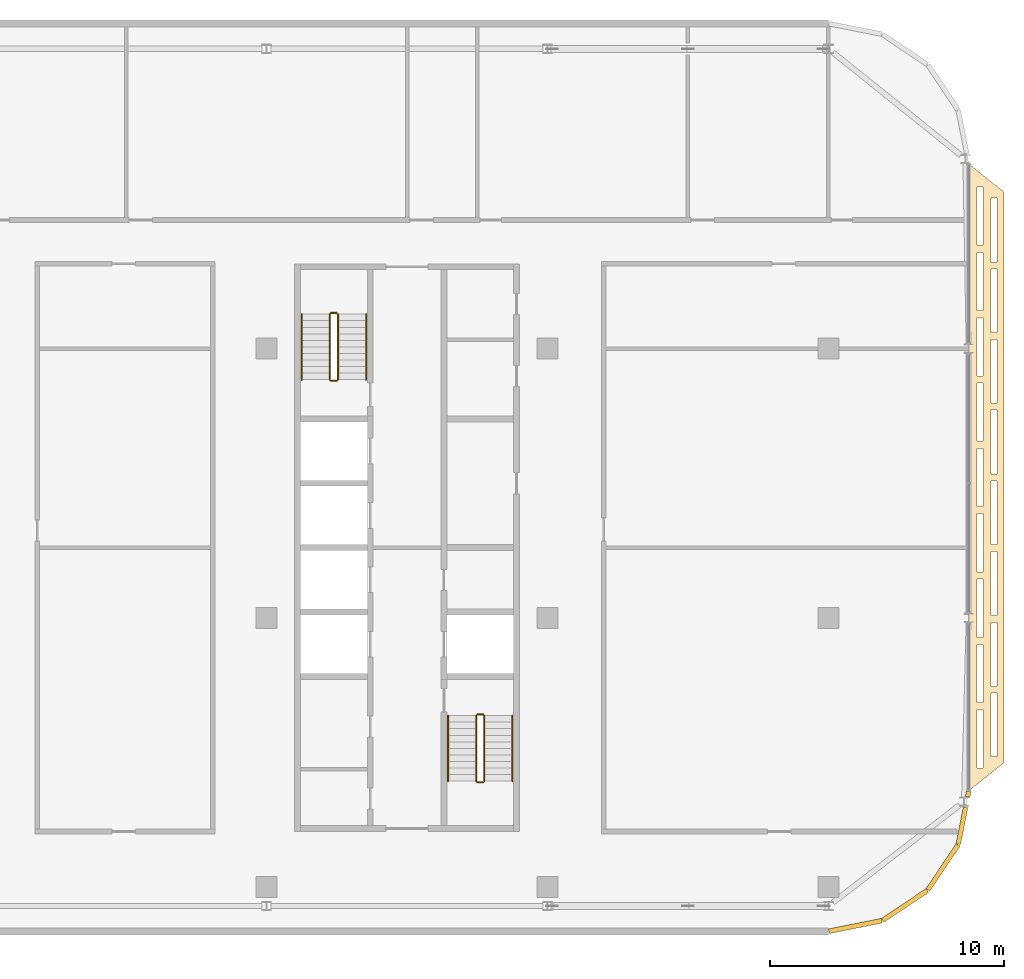
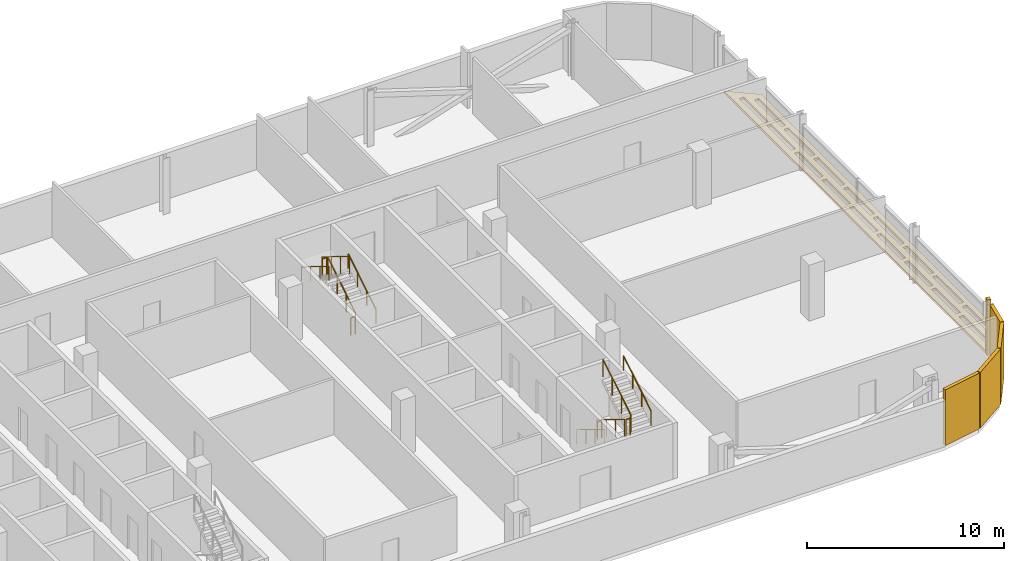
# One storey, part 27 of 28: 12 railings, 6 coverings.
"""IFC4 building model written with IfcOpenShell, lengths in metres."""

from ifc_helpers import new_model, si_unit, direction, frame, origin, origin_2d, place, context, subcontext, project, spatial, polyline, rectangle, circle, outline, extrude, material, layer, layer_set, type_object, element, save


model = new_model("IFC4")

# Units and contexts
model_context = context("Model", 3, precision=1e-05, world=origin(), true_north=direction((0.0, 1.0)))
body_context = subcontext(model_context, "Body", "Model", "MODEL_VIEW")
ifc_project = project(units=[si_unit("LENGTHUNIT", "METRE"), si_unit("AREAUNIT", "SQUARE_METRE"), si_unit("VOLUMEUNIT", "CUBIC_METRE"), si_unit("PLANEANGLEUNIT", "RADIAN"), si_unit("MASSUNIT", "GRAM", prefix="KILO")], contexts=[model_context])

# Site, building, storey
site_placement = place(None, origin())
site = spatial("IfcSite", under=ifc_project, at=site_placement, CompositionType="ELEMENT")
building_placement = place(site_placement, origin())
building = spatial("IfcBuilding", under=site, at=building_placement, Name="Mahtab Terrace Research Tower", CompositionType="ELEMENT")
storey_placement = place(building_placement, frame((0.0, 0.0, 270.89990234375)))
storey = spatial("IfcBuildingStorey", under=building, at=storey_placement, Name="L66", CompositionType="ELEMENT", Elevation=270.89990234375)

# Coverings
ifc_material_1 = material(Name="Black aluminium cladding panel", Category="aluminium")
ifc_layer_1 = layer(ifc_material_1, 0.199951171875)
ifc_layer_set_1 = layer_set([ifc_layer_1], Name="Black metal corner cladding 200")
covering_type_1 = type_object("IfcCoveringType", Name="Black metal corner cladding 200", PredefinedType="CLADDING", material=ifc_layer_set_1)
for number, where, z_axis, x_axis, name in (
    (1, (43.14794921875, -13.16162109375, 0.0), (0.0, 0.0, 1.0), (0.980760981187, 0.195212442692, 0.0), "Corner cladding L66 17"),
    (2, (45.26953125, -12.282958984375, 0.0), (0.0, 0.0, 1.0), (0.831655794326, 0.555291490808, 0.0), "Corner cladding L66 18"),
    (3, (46.89306640625, -10.659423828125, 0.0), (0.0, 0.0, 1.0), (0.555291490808, 0.831655794326, 0.0), "Corner cladding L66 19"),
):
    element("IfcCovering", number, at=place(storey_placement, frame(where, z_axis=z_axis, x_axis=x_axis)), inside=storey, type_object=covering_type_1, Name=name, PredefinedType="CLADDING", context=body_context, shape_type="SweptSolid", body=[
        extrude(rectangle(XDim=2.30126953125, YDim=0.199951171875, at=origin_2d()), origin(), (0.0, 0.0, 1.0), 3.4599609375),
    ])
covering_1_placement = place(storey_placement, frame((47.7041015625, -8.876220703125, 0.0), z_axis=(0.0, 0.0, 1.0), x_axis=(0.195212442692, 0.980760981187, 0.0)))
element("IfcCovering", 4, at=covering_1_placement, inside=storey, type_object=covering_type_1, Name="Corner cladding L66 20", PredefinedType="CLADDING", context=body_context, shape_type="SweptSolid", body=[
    extrude(rectangle(XDim=1.611328125, YDim=0.199951171875, at=origin_2d()), origin(), (0.0, 0.0, 1.0), 3.4599609375),
])
covering_2_placement = place(storey_placement, frame((47.972900390625, -7.526123046875, 0.0), z_axis=(0.0, 0.0, 1.0), x_axis=(0.195212442692, 0.980760981187, 0.0)))
element("IfcCovering", 5, at=covering_2_placement, inside=storey, type_object=covering_type_1, Name="Corner cladding L66 21", PredefinedType="CLADDING", context=body_context, shape_type="SweptSolid", body=[
    extrude(rectangle(XDim=0.257568359375, YDim=0.199951171875, at=origin_2d()), origin(), (0.0, 0.0, 1.0), 3.4599609375),
])
ifc_material_2 = material(Name="Black anodised aluminium", Category="aluminium")
ifc_layer_2 = layer(ifc_material_2, 0.14990234375)
ifc_layer_set_2 = layer_set([ifc_layer_2], Name="Horizontal sunshade band")
covering_type_2 = type_object("IfcCoveringType", Name="Horizontal sunshade band", PredefinedType="CLADDING", material=ifc_layer_set_2)
covering_3_placement = place(storey_placement, frame((0.0, 0.0, -0.14990234375)))
element("IfcCovering", 6, at=covering_3_placement, inside=storey, type_object=covering_type_2, Name="Sunshade band L66 22", PredefinedType="CLADDING", context=body_context, shape_type="SweptSolid", body=[
    extrude(outline(polyline([(48.0, -7.389892578125), (48.0, 19.389892578125), (49.5, 18.18994140625), (49.5, -6.18994140625), (48.0, -7.389892578125)]), holes=[polyline([(48.35009765625, -6.409912109375), (48.35009765625, -3.9189453125), (48.60009765625, -3.9189453125), (48.60009765625, -6.409912109375), (48.35009765625, -6.409912109375)]), polyline([(48.35009765625, -3.618896484375), (48.35009765625, -1.1279296875), (48.60009765625, -1.1279296875), (48.60009765625, -3.618896484375), (48.35009765625, -3.618896484375)]), polyline([(48.35009765625, -0.827880859375), (48.35009765625, 1.6630859375), (48.60009765625, 1.6630859375), (48.60009765625, -0.827880859375), (48.35009765625, -0.827880859375)]), polyline([(48.35009765625, 1.962890625), (48.35009765625, 4.4541015625), (48.60009765625, 4.4541015625), (48.60009765625, 1.962890625), (48.35009765625, 1.962890625)]), polyline([(48.35009765625, 4.75390625), (48.35009765625, 7.24609375), (48.60009765625, 7.24609375), (48.60009765625, 4.75390625), (48.35009765625, 4.75390625)]), polyline([(48.35009765625, 7.5458984375), (48.35009765625, 10.037109375), (48.60009765625, 10.037109375), (48.60009765625, 7.5458984375), (48.35009765625, 7.5458984375)]), polyline([(48.35009765625, 10.3369140625), (48.35009765625, 12.827880859375), (48.60009765625, 12.827880859375), (48.60009765625, 10.3369140625), (48.35009765625, 10.3369140625)]), polyline([(48.35009765625, 13.1279296875), (48.35009765625, 15.618896484375), (48.60009765625, 15.618896484375), (48.60009765625, 13.1279296875), (48.35009765625, 13.1279296875)]), polyline([(48.35009765625, 15.9189453125), (48.35009765625, 18.409912109375), (48.60009765625, 18.409912109375), (48.60009765625, 15.9189453125), (48.35009765625, 15.9189453125)]), polyline([(48.949951171875, -5.929931640625), (48.949951171875, -3.2099609375), (49.199951171875, -3.2099609375), (49.199951171875, -5.929931640625), (48.949951171875, -5.929931640625)]), polyline([(48.949951171875, -2.909912109375), (48.949951171875, -0.18994140625), (49.199951171875, -0.18994140625), (49.199951171875, -2.909912109375), (48.949951171875, -2.909912109375)]), polyline([(48.949951171875, 0.110107421875), (48.949951171875, 2.830078125), (49.199951171875, 2.830078125), (49.199951171875, 0.110107421875), (48.949951171875, 0.110107421875)]), polyline([(48.949951171875, 3.1298828125), (48.949951171875, 5.85009765625), (49.199951171875, 5.85009765625), (49.199951171875, 3.1298828125), (48.949951171875, 3.1298828125)]), polyline([(48.949951171875, 6.14990234375), (48.949951171875, 8.8701171875), (49.199951171875, 8.8701171875), (49.199951171875, 6.14990234375), (48.949951171875, 6.14990234375)]), polyline([(48.949951171875, 9.169921875), (48.949951171875, 11.889892578125), (49.199951171875, 11.889892578125), (49.199951171875, 9.169921875), (48.949951171875, 9.169921875)]), polyline([(48.949951171875, 12.18994140625), (48.949951171875, 14.909912109375), (49.199951171875, 14.909912109375), (49.199951171875, 12.18994140625), (48.949951171875, 12.18994140625)]), polyline([(48.949951171875, 15.2099609375), (48.949951171875, 17.929931640625), (49.199951171875, 17.929931640625), (49.199951171875, 15.2099609375), (48.949951171875, 15.2099609375)])]), origin(), (0.0, 0.0, 1.0), 0.14990234375),
])

# Railings
ifc_material_3 = material(Name="Stainless steel AISI 304", Category="steel")
railing_type_1 = type_object("IfcRailingType", Name="Stair guard 1100", PredefinedType="GUARDRAIL", material=ifc_material_3)
railing_1_placement = place(storey_placement, frame((21.050048828125, 10.175048828125, 0.1728515625)))
element("IfcRailing", 7, at=railing_1_placement, inside=storey, type_object=railing_type_1, Name="L66 ST3 stair guard 1", PredefinedType="GUARDRAIL", context=body_context, shape_type="SweptSolid", body=[
    extrude(circle(Radius=0.02392578125, at=origin_2d()), frame((0.0, 0.0, 1.076171875), z_axis=(0.0, 0.851089632645, 0.525020415988), x_axis=(-1.0, 0.0, 0.0)), (0.0, 0.0, 1.0), 3.2900390625),
    extrude(circle(Radius=0.02099609375, at=origin_2d()), origin(), (0.0, 0.0, 1.0), 1.052001953125),
    extrude(circle(Radius=0.02099609375, at=origin_2d()), frame((0.0, 0.933349609375, 0.57568359375)), (0.0, 0.0, 1.0), 1.052001953125),
    extrude(circle(Radius=0.02099609375, at=origin_2d()), frame((0.0, 1.86669921875, 1.151611328125)), (0.0, 0.0, 1.0), 1.052001953125),
    extrude(circle(Radius=0.02099609375, at=origin_2d()), frame((0.0, 2.800048828125, 1.727294921875)), (0.0, 0.0, 1.0), 1.052001953125),
])
railing_2_placement = place(storey_placement, frame((21.0, 13.02490234375, 1.900146484375)))
element("IfcRailing", 8, at=railing_2_placement, inside=storey, type_object=railing_type_1, Name="L66 ST3 stair guard 2", PredefinedType="GUARDRAIL", context=body_context, shape_type="SweptSolid", body=[
    extrude(circle(Radius=0.02392578125, at=origin_2d()), frame((0.0, 0.0, 1.076171875), z_axis=(-1.0, 0.0, 0.0), x_axis=(0.0, -1.0, 0.0)), (0.0, 0.0, 1.0), 0.25),
    extrude(circle(Radius=0.02099609375, at=origin_2d()), origin(), (0.0, 0.0, 1.0), 1.052001953125),
    extrude(circle(Radius=0.02099609375, at=origin_2d()), frame((-0.25, 0.0, 0.0)), (0.0, 0.0, 1.0), 1.052001953125),
])
railing_3_placement = place(storey_placement, frame((20.699951171875, 12.97509765625, 2.07275390625)))
element("IfcRailing", 9, at=railing_3_placement, inside=storey, type_object=railing_type_1, Name="L66 ST3 stair guard 3", PredefinedType="GUARDRAIL", context=body_context, shape_type="SweptSolid", body=[
    extrude(circle(Radius=0.02392578125, at=origin_2d()), frame((0.0, 0.0, 1.076171875), z_axis=(0.0, -0.851089632645, 0.525020415988), x_axis=(1.0, 0.0, 0.0)), (0.0, 0.0, 1.0), 3.2900390625),
    extrude(circle(Radius=0.02099609375, at=origin_2d()), origin(), (0.0, 0.0, 1.0), 1.052001953125),
    extrude(circle(Radius=0.02099609375, at=origin_2d()), frame((0.0, -0.933349609375, 0.57568359375)), (0.0, 0.0, 1.0), 1.052001953125),
    extrude(circle(Radius=0.02099609375, at=origin_2d()), frame((0.0, -1.86669921875, 1.151611328125)), (0.0, 0.0, 1.0), 1.052001953125),
    extrude(circle(Radius=0.02099609375, at=origin_2d()), frame((0.0, -2.800048828125, 1.727294921875)), (0.0, 0.0, 1.0), 1.052001953125),
])
railing_4_placement = place(storey_placement, frame((21.0, 10.125, 0.0)))
element("IfcRailing", 10, at=railing_4_placement, inside=storey, type_object=railing_type_1, Name="L66 ST3 stair guard 4", PredefinedType="GUARDRAIL", context=body_context, shape_type="SweptSolid", body=[
    extrude(circle(Radius=0.02392578125, at=origin_2d()), frame((0.0, 0.0, 1.076171875), z_axis=(-1.0, 0.0, 0.0), x_axis=(0.0, -1.0, 0.0)), (0.0, 0.0, 1.0), 0.25),
    extrude(circle(Radius=0.02099609375, at=origin_2d()), origin(), (0.0, 0.0, 1.0), 1.052001953125),
    extrude(circle(Radius=0.02099609375, at=origin_2d()), frame((-0.25, 0.0, 0.0)), (0.0, 0.0, 1.0), 1.052001953125),
])
railing_5_placement = place(storey_placement, frame((26.949951171875, -4.175048828125, 0.1728515625)))
element("IfcRailing", 11, at=railing_5_placement, inside=storey, type_object=railing_type_1, Name="L66 ST4 stair guard 1", PredefinedType="GUARDRAIL", context=body_context, shape_type="SweptSolid", body=[
    extrude(circle(Radius=0.02392578125, at=origin_2d()), frame((0.0, 0.0, 1.076171875), z_axis=(0.0, -0.851089632645, 0.525020415988), x_axis=(1.0, 0.0, 0.0)), (0.0, 0.0, 1.0), 3.2900390625),
    extrude(circle(Radius=0.02099609375, at=origin_2d()), origin(), (0.0, 0.0, 1.0), 1.052001953125),
    extrude(circle(Radius=0.02099609375, at=origin_2d()), frame((0.0, -0.933349609375, 0.57568359375)), (0.0, 0.0, 1.0), 1.052001953125),
    extrude(circle(Radius=0.02099609375, at=origin_2d()), frame((0.0, -1.86669921875, 1.151611328125)), (0.0, 0.0, 1.0), 1.052001953125),
    extrude(circle(Radius=0.02099609375, at=origin_2d()), frame((0.0, -2.800048828125, 1.727294921875)), (0.0, 0.0, 1.0), 1.052001953125),
])
railing_6_placement = place(storey_placement, frame((27.0, -7.02490234375, 1.900146484375)))
element("IfcRailing", 12, at=railing_6_placement, inside=storey, type_object=railing_type_1, Name="L66 ST4 stair guard 2", PredefinedType="GUARDRAIL", context=body_context, shape_type="SweptSolid", body=[
    extrude(circle(Radius=0.02392578125, at=origin_2d()), frame((0.0, 0.0, 1.076171875), z_axis=(1.0, 0.0, 0.0), x_axis=(0.0, 1.0, 0.0)), (0.0, 0.0, 1.0), 0.25),
    extrude(circle(Radius=0.02099609375, at=origin_2d()), origin(), (0.0, 0.0, 1.0), 1.052001953125),
    extrude(circle(Radius=0.02099609375, at=origin_2d()), frame((0.25, 0.0, 0.0)), (0.0, 0.0, 1.0), 1.052001953125),
])
railing_7_placement = place(storey_placement, frame((27.300048828125, -6.97509765625, 2.07275390625)))
element("IfcRailing", 13, at=railing_7_placement, inside=storey, type_object=railing_type_1, Name="L66 ST4 stair guard 3", PredefinedType="GUARDRAIL", context=body_context, shape_type="SweptSolid", body=[
    extrude(circle(Radius=0.02392578125, at=origin_2d()), frame((0.0, 0.0, 1.076171875), z_axis=(0.0, 0.851089632645, 0.525020415988), x_axis=(-1.0, 0.0, 0.0)), (0.0, 0.0, 1.0), 3.2900390625),
    extrude(circle(Radius=0.02099609375, at=origin_2d()), origin(), (0.0, 0.0, 1.0), 1.052001953125),
    extrude(circle(Radius=0.02099609375, at=origin_2d()), frame((0.0, 0.933349609375, 0.57568359375)), (0.0, 0.0, 1.0), 1.052001953125),
    extrude(circle(Radius=0.02099609375, at=origin_2d()), frame((0.0, 1.86669921875, 1.151611328125)), (0.0, 0.0, 1.0), 1.052001953125),
    extrude(circle(Radius=0.02099609375, at=origin_2d()), frame((0.0, 2.800048828125, 1.727294921875)), (0.0, 0.0, 1.0), 1.052001953125),
])
railing_8_placement = place(storey_placement, frame((27.0, -4.125, 0.0)))
element("IfcRailing", 14, at=railing_8_placement, inside=storey, type_object=railing_type_1, Name="L66 ST4 stair guard 4", PredefinedType="GUARDRAIL", context=body_context, shape_type="SweptSolid", body=[
    extrude(circle(Radius=0.02392578125, at=origin_2d()), frame((0.0, 0.0, 1.076171875), z_axis=(1.0, 0.0, 0.0), x_axis=(0.0, 1.0, 0.0)), (0.0, 0.0, 1.0), 0.25),
    extrude(circle(Radius=0.02099609375, at=origin_2d()), origin(), (0.0, 0.0, 1.0), 1.052001953125),
    extrude(circle(Radius=0.02099609375, at=origin_2d()), frame((0.25, 0.0, 0.0)), (0.0, 0.0, 1.0), 1.052001953125),
])
railing_type_2 = type_object("IfcRailingType", Name="Stair handrail 900", PredefinedType="HANDRAIL", material=ifc_material_3)
railing_9_placement = place(storey_placement, frame((22.25, 10.175048828125, 0.1728515625)))
element("IfcRailing", 15, at=railing_9_placement, inside=storey, type_object=railing_type_2, Name="L66 ST3 stair handrail 1", PredefinedType="HANDRAIL", context=body_context, shape_type="SweptSolid", body=[
    extrude(circle(Radius=0.02392578125, at=origin_2d()), frame((0.0, 0.0, 0.8759765625), z_axis=(0.0, 0.851089632645, 0.525020415988), x_axis=(-1.0, 0.0, 0.0)), (0.0, 0.0, 1.0), 3.2900390625),
    extrude(circle(Radius=0.02099609375, at=origin_2d()), origin(), (0.0, 0.0, 1.0), 0.851806640625),
    extrude(circle(Radius=0.02099609375, at=origin_2d()), frame((0.0, 0.933349609375, 0.57568359375)), (0.0, 0.0, 1.0), 0.851806640625),
    extrude(circle(Radius=0.02099609375, at=origin_2d()), frame((0.0, 1.86669921875, 1.151611328125)), (0.0, 0.0, 1.0), 0.851806640625),
    extrude(circle(Radius=0.02099609375, at=origin_2d()), frame((0.0, 2.800048828125, 1.727294921875)), (0.0, 0.0, 1.0), 0.851806640625),
])
for number, where, name in (
    (16, (19.5, 12.97509765625, 2.07275390625), "L66 ST3 stair handrail 2"),
    (17, (25.75, -4.175048828125, 0.1728515625), "L66 ST4 stair handrail 1"),
):
    element("IfcRailing", number, at=place(storey_placement, frame(where)), inside=storey, type_object=railing_type_2, Name=name, PredefinedType="HANDRAIL", context=body_context, shape_type="SweptSolid", body=[
        extrude(circle(Radius=0.02392578125, at=origin_2d()), frame((0.0, 0.0, 0.8759765625), z_axis=(0.0, -0.851089632645, 0.525020415988), x_axis=(1.0, 0.0, 0.0)), (0.0, 0.0, 1.0), 3.2900390625),
        extrude(circle(Radius=0.02099609375, at=origin_2d()), origin(), (0.0, 0.0, 1.0), 0.851806640625),
        extrude(circle(Radius=0.02099609375, at=origin_2d()), frame((0.0, -0.933349609375, 0.57568359375)), (0.0, 0.0, 1.0), 0.851806640625),
        extrude(circle(Radius=0.02099609375, at=origin_2d()), frame((0.0, -1.86669921875, 1.151611328125)), (0.0, 0.0, 1.0), 0.851806640625),
        extrude(circle(Radius=0.02099609375, at=origin_2d()), frame((0.0, -2.800048828125, 1.727294921875)), (0.0, 0.0, 1.0), 0.851806640625),
    ])
railing_10_placement = place(storey_placement, frame((28.5, -6.97509765625, 2.07275390625)))
element("IfcRailing", 18, at=railing_10_placement, inside=storey, type_object=railing_type_2, Name="L66 ST4 stair handrail 2", PredefinedType="HANDRAIL", context=body_context, shape_type="SweptSolid", body=[
    extrude(circle(Radius=0.02392578125, at=origin_2d()), frame((0.0, 0.0, 0.8759765625), z_axis=(0.0, 0.851089632645, 0.525020415988), x_axis=(-1.0, 0.0, 0.0)), (0.0, 0.0, 1.0), 3.2900390625),
    extrude(circle(Radius=0.02099609375, at=origin_2d()), origin(), (0.0, 0.0, 1.0), 0.851806640625),
    extrude(circle(Radius=0.02099609375, at=origin_2d()), frame((0.0, 0.933349609375, 0.57568359375)), (0.0, 0.0, 1.0), 0.851806640625),
    extrude(circle(Radius=0.02099609375, at=origin_2d()), frame((0.0, 1.86669921875, 1.151611328125)), (0.0, 0.0, 1.0), 0.851806640625),
    extrude(circle(Radius=0.02099609375, at=origin_2d()), frame((0.0, 2.800048828125, 1.727294921875)), (0.0, 0.0, 1.0), 0.851806640625),
])

save(model, "model.ifc")
